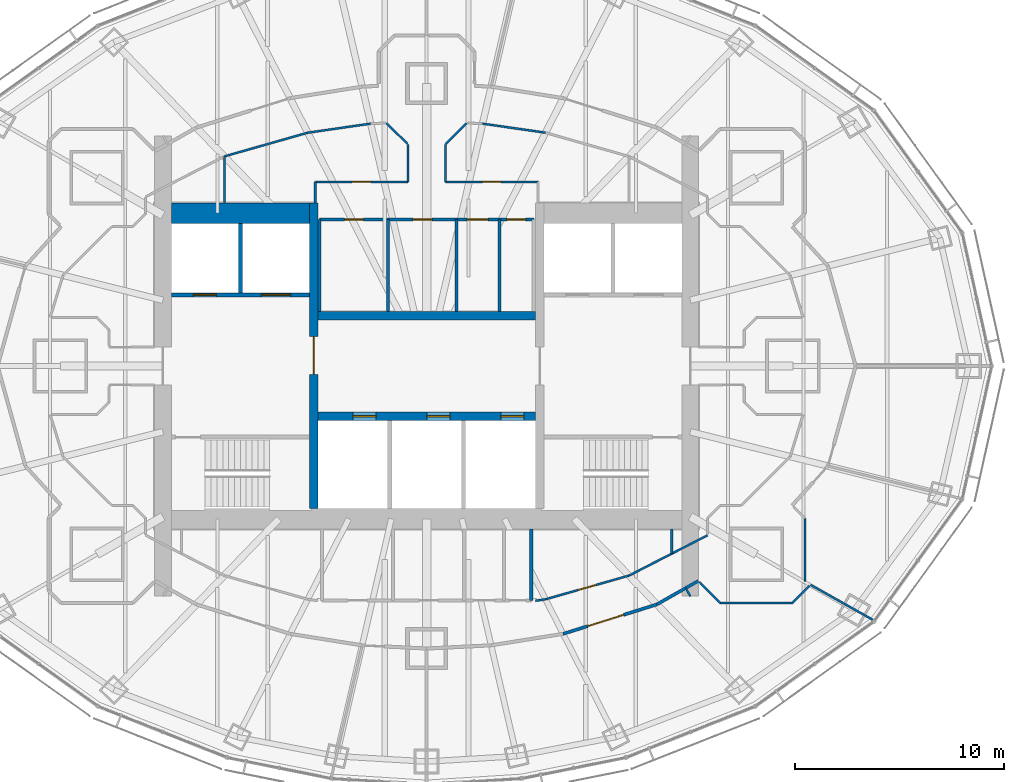
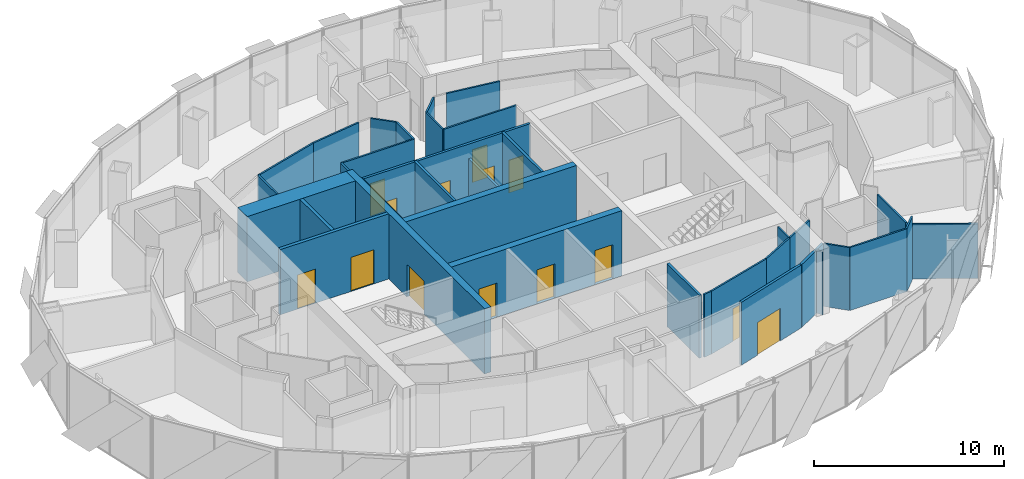
# One storey, part 13 of 18: 36 walls, 14 doors, 14 openings.
"""IFC4 building model written with IfcOpenShell, lengths in metres."""

from ifc_helpers import new_model, si_unit, direction, frame, frame_2d, origin, place, context, subcontext, project, spatial, rectangle, extrude, material, layer, layer_set, type_object, element, fill, save


model = new_model("IFC4")

# Units and contexts
model_context = context("Model", 3, precision=1e-05, world=origin(), true_north=direction((0.0, 1.0)))
body_context = subcontext(model_context, "Body", "Model", "MODEL_VIEW")
ifc_project = project(units=[si_unit("LENGTHUNIT", "METRE"), si_unit("AREAUNIT", "SQUARE_METRE"), si_unit("VOLUMEUNIT", "CUBIC_METRE"), si_unit("PLANEANGLEUNIT", "RADIAN"), si_unit("MASSUNIT", "GRAM", prefix="KILO")], contexts=[model_context])

# Site, building, storey
site_placement = place(None, origin())
site = spatial("IfcSite", under=ifc_project, at=site_placement, CompositionType="ELEMENT")
building_placement = place(site_placement, origin())
building = spatial("IfcBuilding", under=site, at=building_placement, Name="Lantaw Convention Tower", CompositionType="ELEMENT")
storey_placement = place(building_placement, frame((0.0, 0.0, 262.0)))
storey = spatial("IfcBuildingStorey", under=building, at=storey_placement, Name="L61", CompositionType="ELEMENT", Elevation=262.0)

# Wall
ifc_material_1 = material(Name="Concrete C60/75", Category="concrete")
ifc_layer_1 = layer(ifc_material_1, 1.0)
ifc_layer_set_1 = layer_set([ifc_layer_1], Name="Core wall 1000")
wall_type_1 = type_object("IfcWallType", Name="Core wall 1000", PredefinedType="SHEAR", material=ifc_layer_set_1)
wall_1_placement = place(storey_placement, frame((-5.60009765625, 7.300048828125, 0.0), z_axis=(0.0, 0.0, 1.0), x_axis=(-1.0, 0.0, 0.0)))
element("IfcWall", 1, at=wall_1_placement, inside=storey, type_object=wall_type_1, Name="Core wall NW", PredefinedType="SHEAR", context=body_context, shape_type="SweptSolid", body=[
    extrude(rectangle(XDim=6.599853515625, YDim=1.0, at=frame_2d((3.2998046875, 0.0))), origin(), (0.0, 0.0, 1.0), 4.199951171875),
])

# Wall, opening, door
ifc_layer_2 = layer(ifc_material_1, 0.39990234375)
ifc_layer_set_2 = layer_set([ifc_layer_2], Name="Core wall 400")
wall_type_2 = type_object("IfcWallType", Name="Core wall 400", PredefinedType="SHEAR", material=ifc_layer_set_2)
wall_2_placement = place(storey_placement, frame((-5.39990234375, 7.800048828125, 0.0), z_axis=(0.0, 0.0, 1.0), x_axis=(0.0, -1.0, 0.0)))
wall_2 = element("IfcWall", 2, at=wall_2_placement, inside=storey, type_object=wall_type_2, Name="Core wall XW", PredefinedType="SHEAR", context=body_context, shape_type="SweptSolid", body=[
    extrude(rectangle(XDim=14.60009765625, YDim=0.39990234375, at=frame_2d((7.300048828125, 0.0))), origin(), (0.0, 0.0, 1.0), 4.199951171875),
])
opening_1_placement = place(wall_2_placement, frame((6.39990234375, 0.0, 0.0)))
opening_1 = element("IfcOpeningElement", 3, at=opening_1_placement, cuts=wall_2, Name="Opening L61.02", PredefinedType="OPENING", context=body_context, shape_type="SweptSolid", body=[
    extrude(rectangle(XDim=1.800048828125, YDim=2.10009765625, at=frame_2d((0.89990234375, 1.050048828125))), frame((0.0, 0.2099609375, 0.0), z_axis=(0.0, -1.0, 0.0), x_axis=(1.0, 0.0, 0.0)), (0.0, 0.0, 1.0), 0.419921875),
])
ifc_material_2 = material(Name="Steel, fire rated", Category="steel")
door_type_1 = type_object("IfcDoorType", Name="Lobby double door FD90", OperationType="DOUBLE_DOOR_DOUBLE_SWING", PredefinedType="DOOR", material=ifc_material_2)
door_1_placement = place(opening_1_placement, origin())
door_1 = element("IfcDoor", 4, at=door_1_placement, inside=storey, type_object=door_type_1, Name="Lift lobby door", OperationType="DOUBLE_DOOR_DOUBLE_SWING", OverallHeight=2.10009765625, OverallWidth=1.800048828125, PredefinedType="DOOR", context=body_context, shape_type="SweptSolid", body=[
    extrude(rectangle(XDim=1.800048828125, YDim=2.10009765625, at=frame_2d((0.89990234375, 1.050048828125))), frame((0.0, 0.02490234375, 0.0), z_axis=(0.0, -1.0, 0.0), x_axis=(1.0, 0.0, 0.0)), (0.0, 0.0, 1.0), 0.050048828125),
])
fill(opening_1, door_1)

# Wall, openings, doors
wall_3_placement = place(storey_placement, frame((-5.199951171875, -2.39990234375, 0.0), z_axis=(0.0, 0.0, 1.0), x_axis=(1.0, 0.0, 0.0)))
wall_3 = element("IfcWall", 5, at=wall_3_placement, inside=storey, type_object=wall_type_2, Name="Core wall BS", PredefinedType="SHEAR", context=body_context, shape_type="SweptSolid", body=[
    extrude(rectangle(XDim=10.39990234375, YDim=0.39990234375, at=frame_2d((5.199951171875, 0.0))), origin(), (0.0, 0.0, 1.0), 4.199951171875),
])
opening_2_placement = place(wall_3_placement, frame((1.683349609375, 0.0, 0.0)))
opening_2 = element("IfcOpeningElement", 6, at=opening_2_placement, cuts=wall_3, Name="Opening L61.07", PredefinedType="OPENING", context=body_context, shape_type="SweptSolid", body=[
    extrude(rectangle(XDim=1.10009765625, YDim=2.199951171875, at=frame_2d((0.550048828125, 1.10009765625))), frame((0.0, 0.2099609375, 0.0), z_axis=(0.0, -1.0, 0.0), x_axis=(1.0, 0.0, 0.0)), (0.0, 0.0, 1.0), 0.419921875),
])
opening_3_placement = place(wall_3_placement, frame((5.216796875, 0.0, 0.0)))
opening_3 = element("IfcOpeningElement", 7, at=opening_3_placement, cuts=wall_3, Name="Opening L61.08", PredefinedType="OPENING", context=body_context, shape_type="SweptSolid", body=[
    extrude(rectangle(XDim=1.10009765625, YDim=2.199951171875, at=frame_2d((0.550048828125, 1.10009765625))), frame((0.0, 0.2099609375, 0.0), z_axis=(0.0, -1.0, 0.0), x_axis=(1.0, 0.0, 0.0)), (0.0, 0.0, 1.0), 0.419921875),
])
opening_4_placement = place(wall_3_placement, frame((8.75, 0.0, 0.0)))
opening_4 = element("IfcOpeningElement", 8, at=opening_4_placement, cuts=wall_3, Name="Opening L61.09", PredefinedType="OPENING", context=body_context, shape_type="SweptSolid", body=[
    extrude(rectangle(XDim=1.10009765625, YDim=2.199951171875, at=frame_2d((0.550048828125, 1.10009765625))), frame((0.0, 0.2099609375, 0.0), z_axis=(0.0, -1.0, 0.0), x_axis=(1.0, 0.0, 0.0)), (0.0, 0.0, 1.0), 0.419921875),
])
ifc_material_3 = material(Name="Stainless steel", Category="steel")
door_type_2 = type_object("IfcDoorType", Name="Lift landing door 1100", OperationType="DOUBLE_DOOR_SLIDING", PredefinedType="DOOR", material=ifc_material_3)
door_2_placement = place(opening_2_placement, origin())
door_2 = element("IfcDoor", 9, at=door_2_placement, inside=storey, type_object=door_type_2, Name="Lift landing door S1", OperationType="DOUBLE_DOOR_SLIDING", OverallHeight=2.199951171875, OverallWidth=1.10009765625, PredefinedType="DOOR", context=body_context, shape_type="SweptSolid", body=[
    extrude(rectangle(XDim=1.10009765625, YDim=2.199951171875, at=frame_2d((0.550048828125, 1.10009765625))), frame((0.0, 0.02490234375, 0.0), z_axis=(0.0, -1.0, 0.0), x_axis=(1.0, 0.0, 0.0)), (0.0, 0.0, 1.0), 0.050048828125),
])
fill(opening_2, door_2)
door_3_placement = place(opening_3_placement, origin())
door_3 = element("IfcDoor", 10, at=door_3_placement, inside=storey, type_object=door_type_2, Name="Lift landing door S2", OperationType="DOUBLE_DOOR_SLIDING", OverallHeight=2.199951171875, OverallWidth=1.10009765625, PredefinedType="DOOR", context=body_context, shape_type="SweptSolid", body=[
    extrude(rectangle(XDim=1.10009765625, YDim=2.199951171875, at=frame_2d((0.550048828125, 1.10009765625))), frame((0.0, 0.02490234375, 0.0), z_axis=(0.0, -1.0, 0.0), x_axis=(1.0, 0.0, 0.0)), (0.0, 0.0, 1.0), 0.050048828125),
])
fill(opening_3, door_3)
door_4_placement = place(opening_4_placement, origin())
door_4 = element("IfcDoor", 11, at=door_4_placement, inside=storey, type_object=door_type_2, Name="Lift landing door S3", OperationType="DOUBLE_DOOR_SLIDING", OverallHeight=2.199951171875, OverallWidth=1.10009765625, PredefinedType="DOOR", context=body_context, shape_type="SweptSolid", body=[
    extrude(rectangle(XDim=1.10009765625, YDim=2.199951171875, at=frame_2d((0.550048828125, 1.10009765625))), frame((0.0, 0.02490234375, 0.0), z_axis=(0.0, -1.0, 0.0), x_axis=(1.0, 0.0, 0.0)), (0.0, 0.0, 1.0), 0.050048828125),
])
fill(opening_4, door_4)

# Wall
wall_4_placement = place(storey_placement, frame((5.199951171875, 2.39990234375, 0.0), z_axis=(0.0, 0.0, 1.0), x_axis=(-1.0, 0.0, 0.0)))
element("IfcWall", 12, at=wall_4_placement, inside=storey, type_object=wall_type_2, Name="Core wall BN", PredefinedType="SHEAR", context=body_context, shape_type="SweptSolid", body=[
    extrude(rectangle(XDim=10.39990234375, YDim=0.39990234375, at=frame_2d((5.199951171875, 0.0))), origin(), (0.0, 0.0, 1.0), 4.199951171875),
])

# Wall, opening, door
ifc_material_4 = material(Name="Gypsum board on steel studs, fire rated", Category="steel")
ifc_layer_3 = layer(ifc_material_4, 0.14990234375)
ifc_layer_set_3 = layer_set([ifc_layer_3], Name="Corridor wall 150 EI 60")
wall_type_3 = type_object("IfcWallType", Name="Corridor wall 150 EI 60", PredefinedType="PARTITIONING", material=ifc_layer_set_3)
wall_5_placement = place(storey_placement, frame((6.521240234375, -12.798828125, 0.0), z_axis=(0.0, 0.0, 1.0), x_axis=(0.954031103669, 0.299707612903, 0.0)))
wall_5 = element("IfcWall", 13, at=wall_5_placement, inside=storey, type_object=wall_type_3, Name="Corridor wall 150", PredefinedType="PARTITIONING", context=body_context, shape_type="SweptSolid", body=[
    extrude(rectangle(XDim=4.6953125, YDim=0.14990234375, at=frame_2d((2.34765625, 0.0))), origin(), (0.0, 0.0, 1.0), 4.050048828125),
])
opening_5_placement = place(wall_5_placement, frame((1.2314453125, 0.0, 0.0)))
opening_5 = element("IfcOpeningElement", 14, at=opening_5_placement, cuts=wall_5, Name="Opening L61.36", PredefinedType="OPENING", context=body_context, shape_type="SweptSolid", body=[
    extrude(rectangle(XDim=1.800048828125, YDim=2.10009765625, at=frame_2d((0.89990234375, 1.050048828125))), frame((0.0, 0.0849609375, 0.0), z_axis=(0.0, -1.0, 0.0), x_axis=(1.0, 0.0, 0.0)), (0.0, 0.0, 1.0), 0.169921875),
])
door_type_3 = type_object("IfcDoorType", Name="Office double door 1800 FD30", OperationType="DOUBLE_DOOR_DOUBLE_SWING", PredefinedType="DOOR", material=ifc_material_2)
door_5_placement = place(opening_5_placement, origin())
door_5 = element("IfcDoor", 15, at=door_5_placement, inside=storey, type_object=door_type_3, Name="Tenant suite door", OperationType="DOUBLE_DOOR_DOUBLE_SWING", OverallHeight=2.10009765625, OverallWidth=1.800048828125, PredefinedType="DOOR", context=body_context, shape_type="SweptSolid", body=[
    extrude(rectangle(XDim=1.800048828125, YDim=2.10009765625, at=frame_2d((0.89990234375, 1.050048828125))), frame((0.0, 0.02490234375, 0.0), z_axis=(0.0, -1.0, 0.0), x_axis=(1.0, 0.0, 0.0)), (0.0, 0.0, 1.0), 0.050048828125),
])
fill(opening_5, door_5)

# Walls
wall_6_placement = place(storey_placement, frame((11.000732421875, -11.3916015625, 0.0), z_axis=(0.0, 0.0, 1.0), x_axis=(0.869722107117, 0.493541747366, 0.0)))
element("IfcWall", 16, at=wall_6_placement, inside=storey, type_object=wall_type_3, Name="Corridor wall 150", PredefinedType="PARTITIONING", context=body_context, shape_type="SweptSolid", body=[
    extrude(rectangle(XDim=2.26953125, YDim=0.14990234375, at=frame_2d((1.134765625, 0.0))), origin(), (0.0, 0.0, 1.0), 4.050048828125),
])
ifc_material_5 = material(Name="Gypsum board on steel studs, acoustic", Category="steel")
ifc_layer_4 = layer(ifc_material_5, 0.10009765625)
ifc_layer_set_4 = layer_set([ifc_layer_4], Name="Office partition 100")
wall_type_4 = type_object("IfcWallType", Name="Office partition 100", PredefinedType="PARTITIONING", material=ifc_layer_set_4)
wall_7_placement = place(storey_placement, frame((11.7099609375, -7.800048828125, 0.0), z_axis=(0.0, 0.0, 1.0), x_axis=(0.0, -1.0, 0.0)))
element("IfcWall", 17, at=wall_7_placement, inside=storey, type_object=wall_type_4, Name="Office partition 100", PredefinedType="PARTITIONING", context=body_context, shape_type="SweptSolid", body=[
    extrude(rectangle(XDim=1.1669921875, YDim=0.10009765625, at=frame_2d((0.58349609375, 0.0))), origin(), (0.0, 0.0, 1.0), 4.050048828125),
])
wall_8_placement = place(storey_placement, frame((11.7099609375, -8.967041015625, 0.0), z_axis=(0.0, 0.0, 1.0), x_axis=(-0.889605609385, -0.456729525814, 0.0)))
element("IfcWall", 18, at=wall_8_placement, inside=storey, type_object=wall_type_4, Name="Office partition 100", PredefinedType="PARTITIONING", context=body_context, shape_type="SweptSolid", body=[
    extrude(rectangle(XDim=2.292724609375, YDim=0.10009765625, at=frame_2d((1.146484375, 0.0))), origin(), (0.0, 0.0, 1.0), 4.050048828125),
])

# Wall, opening, door
wall_9_placement = place(storey_placement, frame((9.67041015625, -10.01416015625, 0.0), z_axis=(0.0, 0.0, 1.0), x_axis=(-0.961973498971, -0.273142796496, 0.0)))
wall_9 = element("IfcWall", 19, at=wall_9_placement, inside=storey, type_object=wall_type_4, Name="Office partition 100", PredefinedType="PARTITIONING", context=body_context, shape_type="SweptSolid", body=[
    extrude(rectangle(XDim=4.148193359375, YDim=0.10009765625, at=frame_2d((2.07421875, 0.0))), origin(), (0.0, 0.0, 1.0), 4.050048828125),
])
opening_6_placement = place(wall_9_placement, frame((1.624267578125, 0.0, 0.0)))
opening_6 = element("IfcOpeningElement", 20, at=opening_6_placement, cuts=wall_9, Name="Opening L61.24", PredefinedType="OPENING", context=body_context, shape_type="SweptSolid", body=[
    extrude(rectangle(XDim=0.89990234375, YDim=2.10009765625, at=frame_2d((0.449951171875, 1.050048828125))), frame((0.0, 0.06005859375, 0.0), z_axis=(0.0, -1.0, 0.0), x_axis=(1.0, 0.0, 0.0)), (0.0, 0.0, 1.0), 0.1201171875),
])
ifc_material_6 = material(Name="Timber", Category="wood")
door_type_4 = type_object("IfcDoorType", Name="Office door 900", OperationType="SINGLE_SWING_LEFT", PredefinedType="DOOR", material=ifc_material_6)
door_6_placement = place(opening_6_placement, origin())
door_6 = element("IfcDoor", 21, at=door_6_placement, inside=storey, type_object=door_type_4, Name="Tenant storage room door", OperationType="SINGLE_SWING_LEFT", OverallHeight=2.10009765625, OverallWidth=0.89990234375, PredefinedType="DOOR", context=body_context, shape_type="SweptSolid", body=[
    extrude(rectangle(XDim=0.89990234375, YDim=2.10009765625, at=frame_2d((0.449951171875, 1.050048828125))), frame((0.0, 0.02490234375, 0.0), z_axis=(0.0, -1.0, 0.0), x_axis=(1.0, 0.0, 0.0)), (0.0, 0.0, 1.0), 0.050048828125),
])
fill(opening_6, door_6)

# Wall
wall_10_placement = place(storey_placement, frame((5.679931640625, -11.147216796875, 0.0), z_axis=(0.0, 0.0, 1.0), x_axis=(-0.989797891768, -0.142478536811, 0.0)))
element("IfcWall", 22, at=wall_10_placement, inside=storey, type_object=wall_type_4, Name="Office partition 100", PredefinedType="PARTITIONING", context=body_context, shape_type="SweptSolid", body=[
    extrude(rectangle(XDim=0.48486328125, YDim=0.10009765625, at=frame_2d((0.242431640625, 0.0))), origin(), (0.0, 0.0, 1.0), 4.050048828125),
])

# Wall, opening, door
wall_11_placement = place(storey_placement, frame((5.320068359375, 8.800048828125, 0.0), z_axis=(0.0, 0.0, 1.0), x_axis=(-1.0, 0.0, 0.0)))
wall_11 = element("IfcWall", 23, at=wall_11_placement, inside=storey, type_object=wall_type_4, Name="Office partition 100", PredefinedType="PARTITIONING", context=body_context, shape_type="SweptSolid", body=[
    extrude(rectangle(XDim=4.420166015625, YDim=0.10009765625, at=frame_2d((2.2099609375, 0.0))), origin(), (0.0, 0.0, 1.0), 4.050048828125),
])
opening_7_placement = place(wall_11_placement, frame((1.760009765625, 0.0, 0.0)))
opening_7 = element("IfcOpeningElement", 24, at=opening_7_placement, cuts=wall_11, Name="Opening L61.26", PredefinedType="OPENING", context=body_context, shape_type="SweptSolid", body=[
    extrude(rectangle(XDim=0.89990234375, YDim=2.10009765625, at=frame_2d((0.449951171875, 1.050048828125))), frame((0.0, 0.06005859375, 0.0), z_axis=(0.0, -1.0, 0.0), x_axis=(1.0, 0.0, 0.0)), (0.0, 0.0, 1.0), 0.1201171875),
])
door_7_placement = place(opening_7_placement, origin())
door_7 = element("IfcDoor", 25, at=door_7_placement, inside=storey, type_object=door_type_4, Name="Copy and print room door", OperationType="SINGLE_SWING_LEFT", OverallHeight=2.10009765625, OverallWidth=0.89990234375, PredefinedType="DOOR", context=body_context, shape_type="SweptSolid", body=[
    extrude(rectangle(XDim=0.89990234375, YDim=2.10009765625, at=frame_2d((0.449951171875, 1.050048828125))), frame((0.0, 0.02490234375, 0.0), z_axis=(0.0, -1.0, 0.0), x_axis=(1.0, 0.0, 0.0)), (0.0, 0.0, 1.0), 0.050048828125),
])
fill(opening_7, door_7)

# Walls
wall_12_placement = place(storey_placement, frame((2.67333984375, 11.579833984375, 0.0), z_axis=(0.0, 0.0, 1.0), x_axis=(0.989805921373, -0.142422744025, 0.0)))
element("IfcWall", 26, at=wall_12_placement, inside=storey, type_object=wall_type_4, Name="Office partition 100", PredefinedType="PARTITIONING", context=body_context, shape_type="SweptSolid", body=[
    extrude(rectangle(XDim=3.03759765625, YDim=0.10009765625, at=frame_2d((1.518798828125, 0.0))), origin(), (0.0, 0.0, 1.0), 4.050048828125),
])
wall_13_placement = place(storey_placement, frame((-9.659912109375, 10.01708984375, 0.0), z_axis=(0.0, 0.0, 1.0), x_axis=(0.0, -1.0, 0.0)))
element("IfcWall", 27, at=wall_13_placement, inside=storey, type_object=wall_type_4, Name="Office partition 100", PredefinedType="PARTITIONING", context=body_context, shape_type="SweptSolid", body=[
    extrude(rectangle(XDim=2.217041015625, YDim=0.10009765625, at=frame_2d((1.1083984375, 0.0))), origin(), (0.0, 0.0, 1.0), 4.050048828125),
])
wall_14_placement = place(storey_placement, frame((-5.679931640625, 11.147216796875, 0.0), z_axis=(0.0, 0.0, 1.0), x_axis=(0.989805921373, 0.142422744025, 0.0)))
element("IfcWall", 28, at=wall_14_placement, inside=storey, type_object=wall_type_4, Name="Office partition 100", PredefinedType="PARTITIONING", context=body_context, shape_type="SweptSolid", body=[
    extrude(rectangle(XDim=3.03759765625, YDim=0.10009765625, at=frame_2d((1.518798828125, 0.0))), origin(), (0.0, 0.0, 1.0), 4.050048828125),
])

# Wall, opening, door
wall_15_placement = place(storey_placement, frame((-0.89990234375, 8.800048828125, 0.0), z_axis=(0.0, 0.0, 1.0), x_axis=(-1.0, 0.0, 0.0)))
wall_15 = element("IfcWall", 29, at=wall_15_placement, inside=storey, type_object=wall_type_4, Name="Office partition 100", PredefinedType="PARTITIONING", context=body_context, shape_type="SweptSolid", body=[
    extrude(rectangle(XDim=4.420166015625, YDim=0.10009765625, at=frame_2d((2.2099609375, 0.0))), origin(), (0.0, 0.0, 1.0), 4.050048828125),
])
opening_8_placement = place(wall_15_placement, frame((1.760009765625, 0.0, 0.0)))
opening_8 = element("IfcOpeningElement", 30, at=opening_8_placement, cuts=wall_15, Name="Opening L61.29", PredefinedType="OPENING", context=body_context, shape_type="SweptSolid", body=[
    extrude(rectangle(XDim=0.89990234375, YDim=2.10009765625, at=frame_2d((0.449951171875, 1.050048828125))), frame((0.0, 0.06005859375, 0.0), z_axis=(0.0, -1.0, 0.0), x_axis=(1.0, 0.0, 0.0)), (0.0, 0.0, 1.0), 0.1201171875),
])
door_8_placement = place(opening_8_placement, origin())
door_8 = element("IfcDoor", 31, at=door_8_placement, inside=storey, type_object=door_type_4, Name="Comms room door", OperationType="SINGLE_SWING_LEFT", OverallHeight=2.10009765625, OverallWidth=0.89990234375, PredefinedType="DOOR", context=body_context, shape_type="SweptSolid", body=[
    extrude(rectangle(XDim=0.89990234375, YDim=2.10009765625, at=frame_2d((0.449951171875, 1.050048828125))), frame((0.0, 0.02490234375, 0.0), z_axis=(0.0, -1.0, 0.0), x_axis=(1.0, 0.0, 0.0)), (0.0, 0.0, 1.0), 0.050048828125),
])
fill(opening_8, door_8)

# Walls
wall_16_placement = place(storey_placement, frame((-5.320068359375, 8.800048828125, 0.0), z_axis=(0.0, 0.0, 1.0), x_axis=(0.0, -1.0, 0.0)))
element("IfcWall", 32, at=wall_16_placement, inside=storey, type_object=wall_type_4, Name="Office partition 100", PredefinedType="PARTITIONING", context=body_context, shape_type="SweptSolid", body=[
    extrude(rectangle(XDim=1.0, YDim=0.10009765625, at=frame_2d((0.5, 0.0))), origin(), (0.0, 0.0, 1.0), 4.050048828125),
])
wall_17_placement = place(storey_placement, frame((-9.659912109375, 10.01708984375, 0.0), z_axis=(0.0, 0.0, 1.0), x_axis=(0.961970251804, 0.27315423234, 0.0)))
element("IfcWall", 33, at=wall_17_placement, inside=storey, type_object=wall_type_4, Name="Office partition 100", PredefinedType="PARTITIONING", context=body_context, shape_type="SweptSolid", body=[
    extrude(rectangle(XDim=4.13720703125, YDim=0.10009765625, at=frame_2d((2.068603515625, 0.0))), origin(), (0.0, 0.0, 1.0), 4.050048828125),
])
wall_18_placement = place(storey_placement, frame((12.60009765625, -11.0, 0.0), z_axis=(0.0, 0.0, 1.0), x_axis=(-0.493794495037, 0.869578631678, 0.0)))
element("IfcWall", 34, at=wall_18_placement, inside=storey, type_object=wall_type_4, Name="Office partition 100", PredefinedType="PARTITIONING", context=body_context, shape_type="SweptSolid", body=[
    extrude(rectangle(XDim=0.448974609375, YDim=0.10009765625, at=frame_2d((0.224609375, 0.0))), origin(), (0.0, 0.0, 1.0), 4.050048828125),
])
for number, where, z_axis, x_axis, name in (
    (35, (0.89990234375, 8.800048828125, 0.0), (0.0, 0.0, 1.0), (0.0, 1.0, 0.0), "Office partition 100"),
    (36, (-0.89990234375, 10.58544921875, 0.0), (0.0, 0.0, 1.0), (0.0, -1.0, 0.0), "Office partition 100"),
):
    element("IfcWall", number, at=place(storey_placement, frame(where, z_axis=z_axis, x_axis=x_axis)), inside=storey, type_object=wall_type_4, Name=name, PredefinedType="PARTITIONING", context=body_context, shape_type="SweptSolid", body=[
        extrude(rectangle(XDim=1.785400390625, YDim=0.10009765625, at=frame_2d((0.892578125, 0.0))), origin(), (0.0, 0.0, 1.0), 4.050048828125),
    ])
for number, where, z_axis, x_axis, name in (
    (37, (1.913330078125, 11.595947265625, 0.0), (0.0, 0.0, 1.0), (-0.71318945388, -0.70097132814, 0.0), "Office partition 100"),
    (38, (-0.915771484375, 10.615478515625, 0.0), (0.0, 0.0, 1.0), (-0.71318945388, 0.70097132814, 0.0), "Office partition 100"),
):
    element("IfcWall", number, at=place(storey_placement, frame(where, z_axis=z_axis, x_axis=x_axis)), inside=storey, type_object=wall_type_4, Name=name, PredefinedType="PARTITIONING", context=body_context, shape_type="SweptSolid", body=[
        extrude(rectangle(XDim=1.398681640625, YDim=0.10009765625, at=frame_2d((0.69921875, 0.0))), origin(), (0.0, 0.0, 1.0), 4.050048828125),
    ])
wall_19_placement = place(storey_placement, frame((21.3583984375, -12.149658203125, 0.0), z_axis=(0.0, 0.0, 1.0), x_axis=(-0.871730019583, 0.489986502832, 0.0)))
element("IfcWall", 39, at=wall_19_placement, inside=storey, type_object=wall_type_4, Name="Office partition 100", PredefinedType="PARTITIONING", context=body_context, shape_type="SweptSolid", body=[
    extrude(rectangle(XDim=3.4599609375, YDim=0.10009765625, at=frame_2d((1.72998046875, 0.0))), origin(), (0.0, 0.0, 1.0), 3.521728515625),
])
wall_20_placement = place(storey_placement, frame((13.4150390625, -8.091796875, 0.0), z_axis=(0.0, 0.0, 1.0), x_axis=(-0.889638356137, -0.456665736935, 0.0)))
element("IfcWall", 40, at=wall_20_placement, inside=storey, type_object=wall_type_4, Name="Office partition 100", PredefinedType="PARTITIONING", context=body_context, shape_type="SweptSolid", body=[
    extrude(rectangle(XDim=1.91650390625, YDim=0.10009765625, at=frame_2d((0.958251953125, 0.0))), origin(), (0.0, 0.0, 1.0), 4.050048828125),
])
wall_21_placement = place(storey_placement, frame((18.2880859375, -10.49462890625, 0.0), z_axis=(0.0, 0.0, 1.0), x_axis=(-0.699823580681, -0.714315725659, 0.0)))
element("IfcWall", 41, at=wall_21_placement, inside=storey, type_object=wall_type_4, Name="Office partition 100", PredefinedType="PARTITIONING", context=body_context, shape_type="SweptSolid", body=[
    extrude(rectangle(XDim=1.162353515625, YDim=0.10009765625, at=frame_2d((0.5810546875, 0.0))), origin(), (0.0, 0.0, 1.0), 4.050048828125),
])
wall_22_placement = place(storey_placement, frame((17.474609375, -11.324951171875, 0.0), z_axis=(0.0, 0.0, 1.0), x_axis=(-1.0, 0.0, 0.0)))
element("IfcWall", 42, at=wall_22_placement, inside=storey, type_object=wall_type_4, Name="Office partition 100", PredefinedType="PARTITIONING", context=body_context, shape_type="SweptSolid", body=[
    extrude(rectangle(XDim=3.44921875, YDim=0.10009765625, at=frame_2d((1.724609375, 0.0))), origin(), (0.0, 0.0, 1.0), 4.050048828125),
])
wall_23_placement = place(storey_placement, frame((14.025390625, -11.324951171875, 0.0), z_axis=(0.0, 0.0, 1.0), x_axis=(-0.701113567316, 0.713049623606, 0.0)))
element("IfcWall", 43, at=wall_23_placement, inside=storey, type_object=wall_type_4, Name="Office partition 100", PredefinedType="PARTITIONING", context=body_context, shape_type="SweptSolid", body=[
    extrude(rectangle(XDim=1.411376953125, YDim=0.10009765625, at=frame_2d((0.70556640625, 0.0))), origin(), (0.0, 0.0, 1.0), 4.050048828125),
])
wall_24_placement = place(storey_placement, frame((18.074951171875, -7.275390625, 0.0), z_axis=(0.0, 0.0, 1.0), x_axis=(0.0, -1.0, 0.0)))
element("IfcWall", 44, at=wall_24_placement, inside=storey, type_object=wall_type_4, Name="Office partition 100", PredefinedType="PARTITIONING", context=body_context, shape_type="SweptSolid", body=[
    extrude(rectangle(XDim=3.02880859375, YDim=0.10009765625, at=frame_2d((1.514404296875, 0.0))), origin(), (0.0, 0.0, 1.0), 3.600341796875),
])

# Wall, openings, doors
ifc_material_7 = material(Name="Concrete blockwork, fire rated", Category="masonry")
ifc_layer_5 = layer(ifc_material_7, 0.199951171875)
ifc_layer_set_5 = layer_set([ifc_layer_5], Name="Shaft wall 200")
wall_type_5 = type_object("IfcWallType", Name="Shaft wall 200", PredefinedType="SOLIDWALL", material=ifc_layer_set_5)
wall_25_placement = place(storey_placement, frame((-12.199951171875, 3.39990234375, 0.0), z_axis=(0.0, 0.0, 1.0), x_axis=(1.0, 0.0, 0.0)))
wall_25 = element("IfcWall", 45, at=wall_25_placement, inside=storey, type_object=wall_type_5, Name="Shaft wall WN", PredefinedType="SOLIDWALL", context=body_context, shape_type="SweptSolid", body=[
    extrude(rectangle(XDim=6.599853515625, YDim=0.199951171875, at=frame_2d((3.2998046875, 0.0))), origin(), (0.0, 0.0, 1.0), 4.199951171875),
])
opening_9_placement = place(wall_25_placement, frame((1.050048828125, 0.0, 0.0)))
opening_9 = element("IfcOpeningElement", 46, at=opening_9_placement, cuts=wall_25, Name="Opening L61.10", PredefinedType="OPENING", context=body_context, shape_type="SweptSolid", body=[
    extrude(rectangle(XDim=1.10009765625, YDim=2.199951171875, at=frame_2d((0.550048828125, 1.10009765625))), frame((0.0, 0.10986328125, 0.0), z_axis=(0.0, -1.0, 0.0), x_axis=(1.0, 0.0, 0.0)), (0.0, 0.0, 1.0), 0.219970703125),
])
opening_10_placement = place(wall_25_placement, frame((4.300048828125, 0.0, 0.0)))
opening_10 = element("IfcOpeningElement", 47, at=opening_10_placement, cuts=wall_25, Name="Opening L61.11", PredefinedType="OPENING", context=body_context, shape_type="SweptSolid", body=[
    extrude(rectangle(XDim=1.39990234375, YDim=2.199951171875, at=frame_2d((0.699951171875, 1.10009765625))), frame((0.0, 0.10986328125, 0.0), z_axis=(0.0, -1.0, 0.0), x_axis=(1.0, 0.0, 0.0)), (0.0, 0.0, 1.0), 0.219970703125),
])
door_9_placement = place(opening_9_placement, origin())
door_9 = element("IfcDoor", 48, at=door_9_placement, inside=storey, type_object=door_type_2, Name="Lift landing door FF1", OperationType="DOUBLE_DOOR_SLIDING", OverallHeight=2.199951171875, OverallWidth=1.10009765625, PredefinedType="DOOR", context=body_context, shape_type="SweptSolid", body=[
    extrude(rectangle(XDim=1.10009765625, YDim=2.199951171875, at=frame_2d((0.550048828125, 1.10009765625))), frame((0.0, 0.02490234375, 0.0), z_axis=(0.0, -1.0, 0.0), x_axis=(1.0, 0.0, 0.0)), (0.0, 0.0, 1.0), 0.050048828125),
])
fill(opening_9, door_9)
door_type_5 = type_object("IfcDoorType", Name="Lift landing door 1400", OperationType="DOUBLE_DOOR_SLIDING", PredefinedType="DOOR", material=ifc_material_3)
door_10_placement = place(opening_10_placement, origin())
door_10 = element("IfcDoor", 49, at=door_10_placement, inside=storey, type_object=door_type_5, Name="Lift landing door SV1", OperationType="DOUBLE_DOOR_SLIDING", OverallHeight=2.199951171875, OverallWidth=1.39990234375, PredefinedType="DOOR", context=body_context, shape_type="SweptSolid", body=[
    extrude(rectangle(XDim=1.39990234375, YDim=2.199951171875, at=frame_2d((0.699951171875, 1.10009765625))), frame((0.0, 0.02490234375, 0.0), z_axis=(0.0, -1.0, 0.0), x_axis=(1.0, 0.0, 0.0)), (0.0, 0.0, 1.0), 0.050048828125),
])
fill(opening_10, door_10)

# Wall
wall_26_placement = place(storey_placement, frame((-8.89990234375, 3.5, 0.0), z_axis=(0.0, 0.0, 1.0), x_axis=(0.0, 1.0, 0.0)))
element("IfcWall", 50, at=wall_26_placement, inside=storey, type_object=wall_type_5, Name="Shaft wall WD", PredefinedType="SOLIDWALL", context=body_context, shape_type="SweptSolid", body=[
    extrude(rectangle(XDim=3.300048828125, YDim=0.199951171875, at=frame_2d((1.64990234375, 0.0))), origin(), (0.0, 0.0, 1.0), 4.199951171875),
])

# Wall, openings, doors
ifc_material_8 = material(Name="Concrete blockwork", Category="masonry")
ifc_layer_6 = layer(ifc_material_8, 0.14990234375)
ifc_layer_set_6 = layer_set([ifc_layer_6], Name="WC wall 150")
wall_type_6 = type_object("IfcWallType", Name="WC wall 150", PredefinedType="SOLIDWALL", material=ifc_layer_set_6)
wall_27_placement = place(storey_placement, frame((-5.1201171875, 7.0, 0.0), z_axis=(0.0, 0.0, 1.0), x_axis=(1.0, 0.0, 0.0)))
wall_27 = element("IfcWall", 51, at=wall_27_placement, inside=storey, type_object=wall_type_6, Name="WC wall 150", PredefinedType="SOLIDWALL", context=body_context, shape_type="SweptSolid", body=[
    extrude(rectangle(XDim=10.240234375, YDim=0.14990234375, at=frame_2d((5.1201171875, 0.0))), origin(), (0.0, 0.0, 1.0), 4.050048828125),
])
opening_11_placement = place(wall_27_placement, frame((1.199951171875, 0.0, 0.0)))
opening_11 = element("IfcOpeningElement", 52, at=opening_11_placement, cuts=wall_27, Name="Opening L61.14", PredefinedType="OPENING", context=body_context, shape_type="SweptSolid", body=[
    extrude(rectangle(XDim=0.89990234375, YDim=2.10009765625, at=frame_2d((0.449951171875, 1.050048828125))), frame((0.0, 0.0849609375, 0.0), z_axis=(0.0, -1.0, 0.0), x_axis=(1.0, 0.0, 0.0)), (0.0, 0.0, 1.0), 0.169921875),
])
opening_12_placement = place(wall_27_placement, frame((4.476806640625, 0.0, 0.0)))
opening_12 = element("IfcOpeningElement", 53, at=opening_12_placement, cuts=wall_27, Name="Opening L61.15", PredefinedType="OPENING", context=body_context, shape_type="SweptSolid", body=[
    extrude(rectangle(XDim=0.89990234375, YDim=2.10009765625, at=frame_2d((0.449951171875, 1.050048828125))), frame((0.0, 0.0849609375, 0.0), z_axis=(0.0, -1.0, 0.0), x_axis=(1.0, 0.0, 0.0)), (0.0, 0.0, 1.0), 0.169921875),
])
opening_13_placement = place(wall_27_placement, frame((7.0537109375, 0.0, 0.0)))
opening_13 = element("IfcOpeningElement", 54, at=opening_13_placement, cuts=wall_27, Name="Opening L61.16", PredefinedType="OPENING", context=body_context, shape_type="SweptSolid", body=[
    extrude(rectangle(XDim=1.0, YDim=2.10009765625, at=frame_2d((0.5, 1.050048828125))), frame((0.0, 0.0849609375, 0.0), z_axis=(0.0, -1.0, 0.0), x_axis=(1.0, 0.0, 0.0)), (0.0, 0.0, 1.0), 0.169921875),
])
opening_14_placement = place(wall_27_placement, frame((8.95166015625, 0.0, 0.0)))
opening_14 = element("IfcOpeningElement", 55, at=opening_14_placement, cuts=wall_27, Name="Opening L61.17", PredefinedType="OPENING", context=body_context, shape_type="SweptSolid", body=[
    extrude(rectangle(XDim=0.89990234375, YDim=2.10009765625, at=frame_2d((0.449951171875, 1.050048828125))), frame((0.0, 0.0849609375, 0.0), z_axis=(0.0, -1.0, 0.0), x_axis=(1.0, 0.0, 0.0)), (0.0, 0.0, 1.0), 0.169921875),
])
door_type_6 = type_object("IfcDoorType", Name="Accessible WC door 1000", OperationType="SINGLE_SWING_LEFT", PredefinedType="DOOR", material=ifc_material_6)
door_11_placement = place(opening_13_placement, origin())
door_11 = element("IfcDoor", 56, at=door_11_placement, inside=storey, type_object=door_type_6, Name="Accessible WC door", OperationType="SINGLE_SWING_LEFT", OverallHeight=2.10009765625, OverallWidth=1.0, PredefinedType="DOOR", context=body_context, shape_type="SweptSolid", body=[
    extrude(rectangle(XDim=1.0, YDim=2.10009765625, at=frame_2d((0.5, 1.050048828125))), frame((0.0, 0.02490234375, 0.0), z_axis=(0.0, -1.0, 0.0), x_axis=(1.0, 0.0, 0.0)), (0.0, 0.0, 1.0), 0.050048828125),
])
fill(opening_13, door_11)
door_type_7 = type_object("IfcDoorType", Name="WC door 900", OperationType="SINGLE_SWING_LEFT", PredefinedType="DOOR", material=ifc_material_6)
door_12_placement = place(opening_11_placement, origin())
door_12 = element("IfcDoor", 57, at=door_12_placement, inside=storey, type_object=door_type_7, Name="Female WC door", OperationType="SINGLE_SWING_LEFT", OverallHeight=2.10009765625, OverallWidth=0.89990234375, PredefinedType="DOOR", context=body_context, shape_type="SweptSolid", body=[
    extrude(rectangle(XDim=0.89990234375, YDim=2.10009765625, at=frame_2d((0.449951171875, 1.050048828125))), frame((0.0, 0.02490234375, 0.0), z_axis=(0.0, -1.0, 0.0), x_axis=(1.0, 0.0, 0.0)), (0.0, 0.0, 1.0), 0.050048828125),
])
fill(opening_11, door_12)
door_13_placement = place(opening_12_placement, origin())
door_13 = element("IfcDoor", 58, at=door_13_placement, inside=storey, type_object=door_type_7, Name="Male WC door", OperationType="SINGLE_SWING_LEFT", OverallHeight=2.10009765625, OverallWidth=0.89990234375, PredefinedType="DOOR", context=body_context, shape_type="SweptSolid", body=[
    extrude(rectangle(XDim=0.89990234375, YDim=2.10009765625, at=frame_2d((0.449951171875, 1.050048828125))), frame((0.0, 0.02490234375, 0.0), z_axis=(0.0, -1.0, 0.0), x_axis=(1.0, 0.0, 0.0)), (0.0, 0.0, 1.0), 0.050048828125),
])
fill(opening_12, door_13)
door_14_placement = place(opening_14_placement, origin())
door_14 = element("IfcDoor", 59, at=door_14_placement, inside=storey, type_object=door_type_7, Name="Cleaner's store door", OperationType="SINGLE_SWING_LEFT", OverallHeight=2.10009765625, OverallWidth=0.89990234375, PredefinedType="DOOR", context=body_context, shape_type="SweptSolid", body=[
    extrude(rectangle(XDim=0.89990234375, YDim=2.10009765625, at=frame_2d((0.449951171875, 1.050048828125))), frame((0.0, 0.02490234375, 0.0), z_axis=(0.0, -1.0, 0.0), x_axis=(1.0, 0.0, 0.0)), (0.0, 0.0, 1.0), 0.050048828125),
])
fill(opening_14, door_14)

# Walls
for number, where, z_axis, x_axis, name in (
    (60, (-5.1201171875, 2.60009765625, 0.0), (0.0, 0.0, 1.0), (0.0, 1.0, 0.0), "WC wall 150"),
    (61, (-1.84326171875, 2.60009765625, 0.0), (0.0, 0.0, 1.0), (0.0, 1.0, 0.0), "WC wall 150"),
):
    element("IfcWall", number, at=place(storey_placement, frame(where, z_axis=z_axis, x_axis=x_axis)), inside=storey, type_object=wall_type_6, Name=name, PredefinedType="SOLIDWALL", context=body_context, shape_type="SweptSolid", body=[
        extrude(rectangle(XDim=4.39990234375, YDim=0.14990234375, at=frame_2d((2.199951171875, 0.0))), origin(), (0.0, 0.0, 1.0), 4.050048828125),
    ])
wall_28_placement = place(storey_placement, frame((1.43359375, 2.60009765625, 0.0), z_axis=(0.0, 0.0, 1.0), x_axis=(0.0, 1.0, 0.0)))
element("IfcWall", 62, at=wall_28_placement, inside=storey, type_object=wall_type_6, Name="WC wall 150", PredefinedType="SOLIDWALL", context=body_context, shape_type="SweptSolid", body=[
    extrude(rectangle(XDim=4.39990234375, YDim=0.14990234375, at=frame_2d((2.199951171875, 0.0))), origin(), (0.0, 0.0, 1.0), 3.107666015625),
])
wall_29_placement = place(storey_placement, frame((3.481689453125, 2.60009765625, 0.0), z_axis=(0.0, 0.0, 1.0), x_axis=(0.0, 1.0, 0.0)))
element("IfcWall", 63, at=wall_29_placement, inside=storey, type_object=wall_type_6, Name="WC wall 150", PredefinedType="SOLIDWALL", context=body_context, shape_type="SweptSolid", body=[
    extrude(rectangle(XDim=4.39990234375, YDim=0.14990234375, at=frame_2d((2.199951171875, 0.0))), origin(), (0.0, 0.0, 1.0), 4.050048828125),
])
wall_30_placement = place(storey_placement, frame((5.0, -7.800048828125, 0.0), z_axis=(0.0, 0.0, 1.0), x_axis=(0.0, -1.0, 0.0)))
element("IfcWall", 64, at=wall_30_placement, inside=storey, type_object=wall_type_6, Name="WC wall 150", PredefinedType="SOLIDWALL", context=body_context, shape_type="SweptSolid", body=[
    extrude(rectangle(XDim=3.39990234375, YDim=0.14990234375, at=frame_2d((1.699951171875, 0.0))), origin(), (0.0, 0.0, 1.0), 4.050048828125),
])

save(model, "model.ifc")
